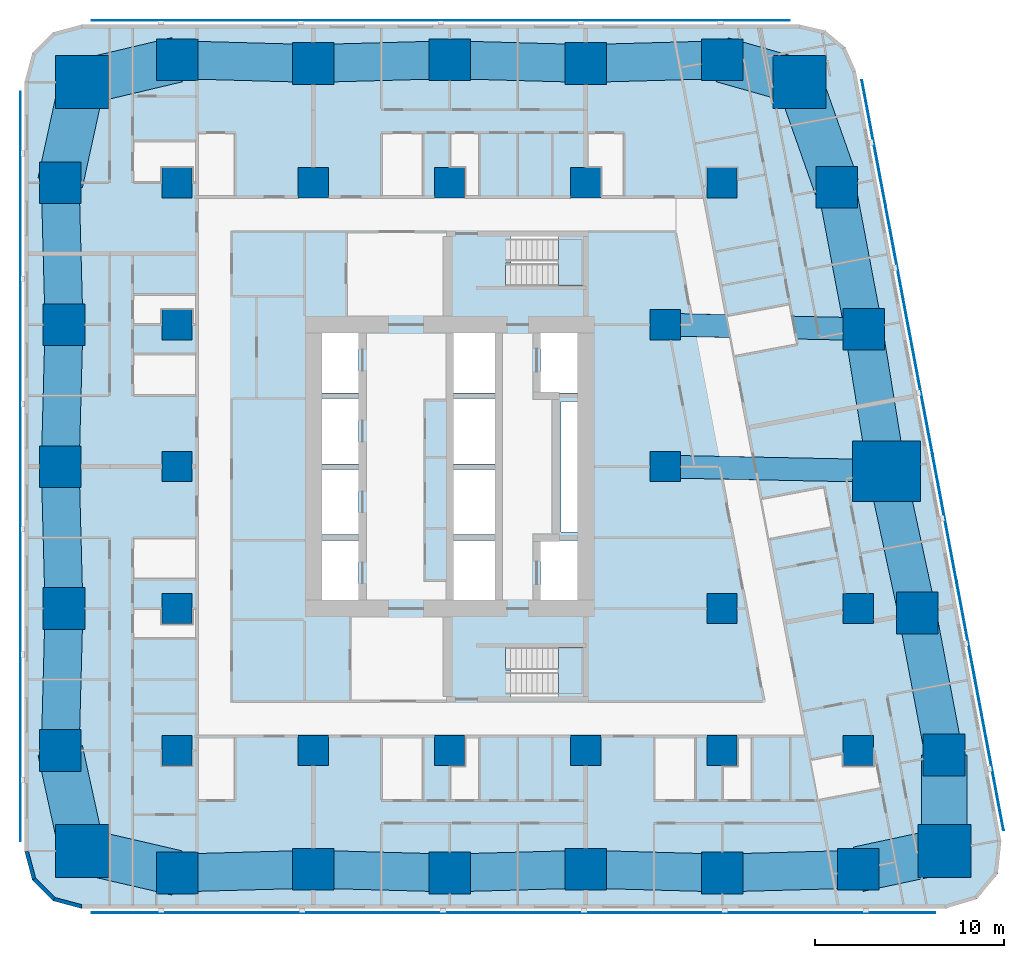
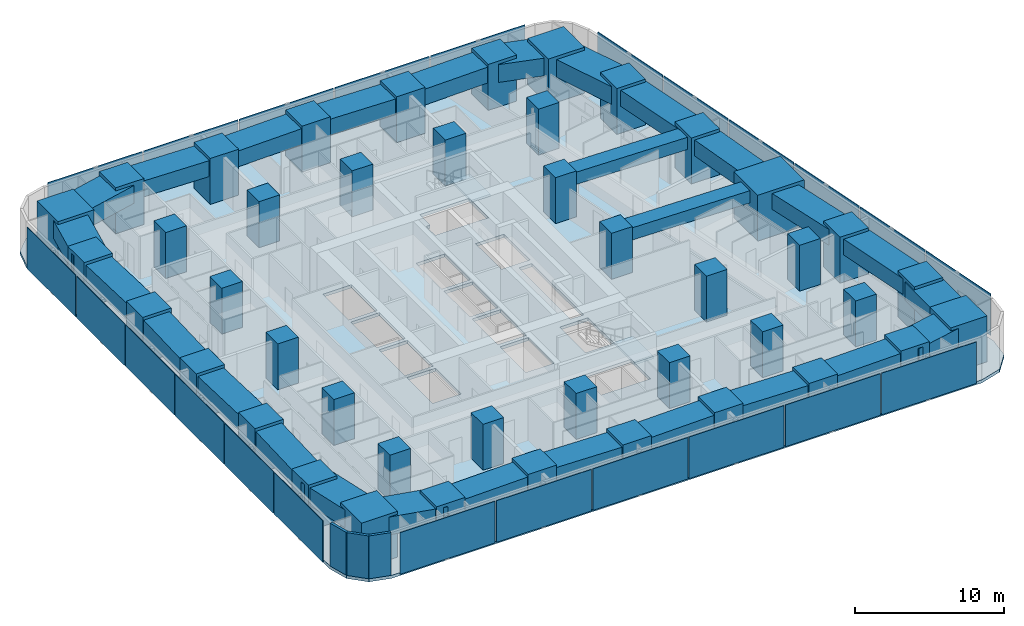
# One storey, part 1 of 15: 43 columns, 27 beams, 23 plates, 3 slabs, 3 walls, 2 elements without a shape of their own.
"""IFC4 building model written with IfcOpenShell, lengths in metres."""

from ifc_helpers import new_model, si_unit, direction, frame, frame_2d, origin, origin_2d, place, context, subcontext, project, spatial, polyline, rectangle, outline, extrude, material, layer, layer_set, material_profile, profile_set, type_object, element, aggregate, save


model = new_model("IFC4")

# Units and contexts
model_context = context("Model", 3, precision=1e-05, world=origin(), true_north=direction((0.0, 1.0)))
body_context = subcontext(model_context, "Body", "Model", "MODEL_VIEW")
ifc_project = project(units=[si_unit("LENGTHUNIT", "METRE"), si_unit("AREAUNIT", "SQUARE_METRE"), si_unit("VOLUMEUNIT", "CUBIC_METRE"), si_unit("PLANEANGLEUNIT", "RADIAN"), si_unit("MASSUNIT", "GRAM", prefix="KILO")], contexts=[model_context])

# Site, building, storey
site_placement = place(None, origin())
site = spatial("IfcSite", under=ifc_project, at=site_placement, CompositionType="ELEMENT")
building_placement = place(site_placement, origin())
building = spatial("IfcBuilding", under=site, at=building_placement, Name="Sheger Commons Tower", CompositionType="ELEMENT")
storey_placement = place(building_placement, frame((0.0, 0.0, 85.39990234375)))
storey = spatial("IfcBuildingStorey", under=building, at=storey_placement, Name="L21", CompositionType="ELEMENT", Elevation=85.39990234375)

# Columns
ifc_material_1 = material(Name="Concrete C50/60", Category="concrete")
ifc_material_profile_1 = material_profile(ifc_material_1, rectangle(XDim=3.60009765625, YDim=3.199951171875, at=origin_2d()), Name="RC 3600x3200")
ifc_profile_set_1 = profile_set([ifc_material_profile_1], Name="Concrete C50/60")
column_type_1 = type_object("IfcColumnType", Name="COLUMN PIER RC 3600x3200", PredefinedType="COLUMN", material=ifc_profile_set_1)
column_placement = place(storey_placement, frame((44.697021484375, 22.262939453125, 0.0), z_axis=(0.0, 0.0, 1.0), x_axis=(1.0, 0.0, 0.0)))
element("IfcColumn", 1, at=column_placement, inside=storey, type_object=column_type_1, Name="Pier 7/D+E/D L21", PredefinedType="COLUMN", context=body_context, shape_type="SweptSolid", body=[
    extrude(rectangle(XDim=3.60009765625, YDim=3.199951171875, at=origin_2d()), origin(), (0.0, 0.0, 1.0), 3.75),
])
ifc_material_2 = material(Name="Concrete C50/60", Category="concrete")
ifc_material_profile_2 = material_profile(ifc_material_2, rectangle(XDim=1.60009765625, YDim=1.60009765625, at=origin_2d()), Name="RC 1600x1600")
ifc_profile_set_2 = profile_set([ifc_material_profile_2], Name="Concrete C50/60")
column_type_2 = type_object("IfcColumnType", Name="COLUMN RC 1600x1600", PredefinedType="COLUMN", material=ifc_profile_set_2)
for number, where, z_axis, x_axis, name in (
    (2, (7.199951171875, 7.5, 0.0), (0.0, 0.0, 1.0), (1.0, 0.0, 0.0), "Column 2/B L21"),
    (3, (14.39990234375, 7.5, 0.0), (0.0, 0.0, 1.0), (1.0, 0.0, 0.0), "Column 3/B L21"),
    (4, (21.60009765625, 7.5, 0.0), (0.0, 0.0, 1.0), (1.0, 0.0, 0.0), "Column 4/B L21"),
    (5, (28.800048828125, 7.5, 0.0), (0.0, 0.0, 1.0), (1.0, 0.0, 0.0), "Column 5/B L21"),
    (6, (36.0, 7.5, 0.0), (0.0, 0.0, 1.0), (1.0, 0.0, 0.0), "Column 6/B L21"),
    (7, (43.199951171875, 7.5, 0.0), (0.0, 0.0, 1.0), (1.0, 0.0, 0.0), "Column 7/B L21"),
    (8, (7.199951171875, 15.0, 0.0), (0.0, 0.0, 1.0), (1.0, 0.0, 0.0), "Column 2/C L21"),
    (9, (36.0, 15.0, 0.0), (0.0, 0.0, 1.0), (1.0, 0.0, 0.0), "Column 6/C L21"),
    (10, (43.199951171875, 15.0, 0.0), (0.0, 0.0, 1.0), (1.0, 0.0, 0.0), "Column 7/C L21"),
    (11, (7.199951171875, 22.5, 0.0), (0.0, 0.0, 1.0), (1.0, 0.0, 0.0), "Column 2/D L21"),
    (12, (33.0, 22.5, 0.0), (0.0, 0.0, 1.0), (1.0, 0.0, 0.0), "Column 6-3000/D L21"),
    (13, (7.199951171875, 30.0, 0.0), (0.0, 0.0, 1.0), (1.0, 0.0, 0.0), "Column 2/E L21"),
    (14, (33.0, 30.0, 0.0), (0.0, 0.0, 1.0), (1.0, 0.0, 0.0), "Column 6-3000/E L21"),
    (15, (7.199951171875, 37.5, 0.0), (0.0, 0.0, 1.0), (1.0, 0.0, 0.0), "Column 2/F L21"),
    (16, (14.39990234375, 37.5, 0.0), (0.0, 0.0, 1.0), (1.0, 0.0, 0.0), "Column 3/F L21"),
    (17, (21.60009765625, 37.5, 0.0), (0.0, 0.0, 1.0), (1.0, 0.0, 0.0), "Column 4/F L21"),
    (18, (28.800048828125, 37.5, 0.0), (0.0, 0.0, 1.0), (1.0, 0.0, 0.0), "Column 5/F L21"),
    (19, (36.0, 37.5, 0.0), (0.0, 0.0, 1.0), (1.0, 0.0, 0.0), "Column 6/F L21"),
):
    element("IfcColumn", number, at=place(storey_placement, frame(where, z_axis=z_axis, x_axis=x_axis)), inside=storey, type_object=column_type_2, Name=name, PredefinedType="COLUMN", context=body_context, shape_type="SweptSolid", body=[
        extrude(rectangle(XDim=1.60009765625, YDim=1.60009765625, at=origin_2d()), origin(), (0.0, 0.0, 1.0), 3.75),
    ])
ifc_material_3 = material(Name="Concrete C50/60", Category="concrete")
ifc_material_profile_3 = material_profile(ifc_material_3, rectangle(XDim=2.199951171875, YDim=2.199951171875, at=origin_2d()), Name="RC 2200x2200")
ifc_profile_set_3 = profile_set([ifc_material_profile_3], Name="Concrete C50/60")
column_type_3 = type_object("IfcColumnType", Name="COLUMN RC 2200x2200", PredefinedType="COLUMN", material=ifc_profile_set_3)
for number, where, z_axis, x_axis, name in (
    (20, (7.199951171875, 1.02490234375, 0.0), (0.0, 0.0, 1.0), (1.0, 0.0, 0.0), "Column 2/A L21"),
    (21, (14.39990234375, 1.22509765625, 0.0), (0.0, 0.0, 1.0), (1.0, 0.0, 0.0), "Column 3/A L21"),
    (22, (21.60009765625, 1.02490234375, 0.0), (0.0, 0.0, 1.0), (1.0, 0.0, 0.0), "Column 4/A L21"),
    (23, (28.800048828125, 1.22509765625, 0.0), (0.0, 0.0, 1.0), (1.0, 0.0, 0.0), "Column 5/A L21"),
    (24, (36.0, 1.02490234375, 0.0), (0.0, 0.0, 1.0), (1.0, 0.0, 0.0), "Column 6/A L21"),
    (25, (43.199951171875, 1.22509765625, 0.0), (0.0, 0.0, 1.0), (1.0, 0.0, 0.0), "Column 7/A L21"),
    (26, (1.02490234375, 7.5, 0.0), (0.0, 0.0, 1.0), (1.0, 0.0, 0.0), "Column 1/B L21"),
    (27, (47.72998046875, 7.262939453125, 0.0), (0.0, 0.0, 1.0), (1.0, 0.0, 0.0), "Column E/B L21"),
    (28, (1.22509765625, 15.0, 0.0), (0.0, 0.0, 1.0), (1.0, 0.0, 0.0), "Column 1/C L21"),
    (29, (46.31396484375, 14.762939453125, 0.0), (0.0, 0.0, 1.0), (1.0, 0.0, 0.0), "Column E/C L21"),
    (30, (1.02490234375, 22.5, 0.0), (0.0, 0.0, 1.0), (1.0, 0.0, 0.0), "Column 1/D L21"),
    (31, (1.22509765625, 30.0, 0.0), (0.0, 0.0, 1.0), (1.0, 0.0, 0.0), "Column 1/E L21"),
    (32, (43.47998046875, 29.762939453125, 0.0), (0.0, 0.0, 1.0), (1.0, 0.0, 0.0), "Column E/E L21"),
    (33, (1.02490234375, 37.5, 0.0), (0.0, 0.0, 1.0), (1.0, 0.0, 0.0), "Column 1/F L21"),
    (34, (42.06396484375, 37.262939453125, 0.0), (0.0, 0.0, 1.0), (1.0, 0.0, 0.0), "Column E/F L21"),
    (35, (7.199951171875, 44.0, 0.0), (0.0, 0.0, 1.0), (1.0, 0.0, 0.0), "Column 2/G L21"),
    (36, (14.39990234375, 43.800048828125, 0.0), (0.0, 0.0, 1.0), (1.0, 0.0, 0.0), "Column 3/G L21"),
    (37, (21.60009765625, 44.0, 0.0), (0.0, 0.0, 1.0), (1.0, 0.0, 0.0), "Column 4/G L21"),
    (38, (28.800048828125, 43.800048828125, 0.0), (0.0, 0.0, 1.0), (1.0, 0.0, 0.0), "Column 5/G L21"),
    (39, (36.0, 44.0, 0.0), (0.0, 0.0, 1.0), (1.0, 0.0, 0.0), "Column 6/G L21"),
):
    element("IfcColumn", number, at=place(storey_placement, frame(where, z_axis=z_axis, x_axis=x_axis)), inside=storey, type_object=column_type_3, Name=name, PredefinedType="COLUMN", context=body_context, shape_type="SweptSolid", body=[
        extrude(rectangle(XDim=2.199951171875, YDim=2.199951171875, at=origin_2d()), origin(), (0.0, 0.0, 1.0), 3.75),
    ])
ifc_material_4 = material(Name="Concrete C50/60", Category="concrete")
ifc_material_profile_4 = material_profile(ifc_material_4, rectangle(XDim=2.800048828125, YDim=2.800048828125, at=origin_2d()), Name="RC 2800x2800")
ifc_profile_set_4 = profile_set([ifc_material_profile_4], Name="Concrete C50/60")
column_type_4 = type_object("IfcColumnType", Name="COLUMN RC 2800x2800", PredefinedType="COLUMN", material=ifc_profile_set_4)
for number, where, z_axis, x_axis, name in (
    (40, (2.18603515625, 2.18603515625, 0.0), (0.0, 0.0, 1.0), (1.0, 0.0, 0.0), "Column 0.630,0.630 L21"),
    (41, (47.748046875, 2.197021484375, 0.0), (0.0, 0.0, 1.0), (1.0, 0.0, 0.0), "Column 49.461,0.778 L21"),
    (42, (2.18603515625, 42.81396484375, 0.0), (0.0, 0.0, 1.0), (1.0, 0.0, 0.0), "Column 0.630,44.370 L21"),
    (43, (40.10205078125, 42.830078125, 0.0), (0.0, 0.0, 1.0), (1.0, 0.0, 0.0), "Column 41.490,44.505 L21"),
):
    element("IfcColumn", number, at=place(storey_placement, frame(where, z_axis=z_axis, x_axis=x_axis)), inside=storey, type_object=column_type_4, Name=name, PredefinedType="COLUMN", context=body_context, shape_type="SweptSolid", body=[
        extrude(rectangle(XDim=2.800048828125, YDim=2.800048828125, at=origin_2d()), origin(), (0.0, 0.0, 1.0), 3.75),
    ])

# Beams
ifc_material_5 = material(Name="Concrete C50/60", Category="concrete")
ifc_material_profile_5 = material_profile(ifc_material_5, rectangle(XDim=1.199951171875, YDim=1.0, at=origin_2d()), Name="RC 1200x1000")
ifc_profile_set_5 = profile_set([ifc_material_profile_5], Name="Concrete C50/60")
beam_type_1 = type_object("IfcBeamType", Name="BEAM RC 1200x1000", PredefinedType="BEAM", material=ifc_profile_set_5)
beam_1_placement = place(storey_placement, frame((33.0, 22.5, 3.0), z_axis=(0.999794692776, -0.02026258368, 0.0), x_axis=(0.02026258368, 0.999794692776, 0.0)))
element("IfcBeam", 44, at=beam_1_placement, inside=storey, type_object=beam_type_1, Name="Beam 6-3000/D-7/D under L22", PredefinedType="BEAM", context=body_context, shape_type="SweptSolid", body=[
    extrude(rectangle(XDim=1.199951171875, YDim=1.0, at=origin_2d()), origin(), (0.0, 0.0, 1.0), 11.699462890625),
])
beam_2_placement = place(storey_placement, frame((33.0, 30.0, 3.0), z_axis=(0.999744258625, -0.022614538395, 0.0), x_axis=(0.022614538395, 0.999744258625, 0.0)))
element("IfcBeam", 45, at=beam_2_placement, inside=storey, type_object=beam_type_1, Name="Beam 6-3000/E-E/E under L22", PredefinedType="BEAM", context=body_context, shape_type="SweptSolid", body=[
    extrude(rectangle(XDim=1.199951171875, YDim=1.0, at=origin_2d()), origin(), (0.0, 0.0, 1.0), 10.482666015625),
])
ifc_material_6 = material(Name="Concrete C50/60", Category="concrete")
ifc_material_profile_6 = material_profile(ifc_material_6, rectangle(XDim=2.0, YDim=1.300048828125, at=origin_2d()), Name="RC 2000x1300")
ifc_profile_set_6 = profile_set([ifc_material_profile_6], Name="Concrete C50/60")
beam_type_2 = type_object("IfcBeamType", Name="SPANDREL RC 2000x1300", PredefinedType="SPANDREL", material=ifc_profile_set_6)
beam_3_placement = place(storey_placement, frame((7.199951171875, 1.02490234375, 2.85009765625), z_axis=(0.9996136624, 0.027794350926, 0.0), x_axis=(-0.027794350926, 0.9996136624, 0.0)))
element("IfcBeam", 46, at=beam_3_placement, inside=storey, type_object=beam_type_2, Name="Beam 2/A-3/A under L22", PredefinedType="SPANDREL", context=body_context, shape_type="SweptSolid", body=[
    extrude(rectangle(XDim=2.0, YDim=1.300048828125, at=origin_2d()), origin(), (0.0, 0.0, 1.0), 7.20263671875),
])
beam_4_placement = place(storey_placement, frame((14.39990234375, 1.22509765625, 2.85009765625), z_axis=(0.999613688584, -0.027793409217, 0.0), x_axis=(0.027793409217, 0.999613688584, 0.0)))
element("IfcBeam", 47, at=beam_4_placement, inside=storey, type_object=beam_type_2, Name="Beam 3/A-4/A under L22", PredefinedType="SPANDREL", context=body_context, shape_type="SweptSolid", body=[
    extrude(rectangle(XDim=2.0, YDim=1.300048828125, at=origin_2d()), origin(), (0.0, 0.0, 1.0), 7.202880859375),
])
for number, where, z_axis, x_axis, name in (
    (48, (21.60009765625, 1.02490234375, 2.85009765625), (0.9996136624, 0.027794350926, 0.0), (-0.027794350926, 0.9996136624, 0.0), "Beam 4/A-5/A under L22"),
    (49, (28.800048828125, 1.22509765625, 2.85009765625), (0.9996136624, -0.027794350926, 0.0), (0.027794350926, 0.9996136624, 0.0), "Beam 5/A-6/A under L22"),
    (50, (36.0, 1.02490234375, 2.85009765625), (0.9996136624, 0.027794350926, 0.0), (-0.027794350926, 0.9996136624, 0.0), "Beam 6/A-7/A under L22"),
):
    element("IfcBeam", number, at=place(storey_placement, frame(where, z_axis=z_axis, x_axis=x_axis)), inside=storey, type_object=beam_type_2, Name=name, PredefinedType="SPANDREL", context=body_context, shape_type="SweptSolid", body=[
        extrude(rectangle(XDim=2.0, YDim=1.300048828125, at=origin_2d()), origin(), (0.0, 0.0, 1.0), 7.20263671875),
    ])
beam_5_placement = place(storey_placement, frame((47.72998046875, 7.262939453125, 2.85009765625), z_axis=(-0.18552441405, 0.982639655108, 0.0), x_axis=(-0.982639655108, -0.18552441405, 0.0)))
element("IfcBeam", 51, at=beam_5_placement, inside=storey, type_object=beam_type_2, Name="Beam E/B-E/C under L22", PredefinedType="SPANDREL", context=body_context, shape_type="SweptSolid", body=[
    extrude(rectangle(XDim=2.0, YDim=1.300048828125, at=origin_2d()), origin(), (0.0, 0.0, 1.0), 7.632568359375),
])
beam_6_placement = place(storey_placement, frame((46.31396484375, 14.762939453125, 2.85009765625), z_axis=(-0.210750229323, 0.977539943348, 0.0), x_axis=(-0.977539943348, -0.210750229323, 0.0)))
element("IfcBeam", 52, at=beam_6_placement, inside=storey, type_object=beam_type_2, Name="Beam E/C-E/D under L22", PredefinedType="SPANDREL", context=body_context, shape_type="SweptSolid", body=[
    extrude(rectangle(XDim=2.0, YDim=1.300048828125, at=origin_2d()), origin(), (0.0, 0.0, 1.0), 7.67236328125),
])
beam_7_placement = place(storey_placement, frame((44.697021484375, 22.262939453125, 2.85009765625), z_axis=(-0.160176929512, 0.987088319884, 0.0), x_axis=(-0.987088319884, -0.160176929512, 0.0)))
element("IfcBeam", 53, at=beam_7_placement, inside=storey, type_object=beam_type_2, Name="Beam E/D-E/E under L22", PredefinedType="SPANDREL", context=body_context, shape_type="SweptSolid", body=[
    extrude(rectangle(XDim=2.0, YDim=1.300048828125, at=origin_2d()), origin(), (0.0, 0.0, 1.0), 7.59814453125),
])
beam_8_placement = place(storey_placement, frame((43.47998046875, 29.762939453125, 2.85009765625), z_axis=(-0.18552441405, 0.982639655108, 0.0), x_axis=(-0.982639655108, -0.18552441405, 0.0)))
element("IfcBeam", 54, at=beam_8_placement, inside=storey, type_object=beam_type_2, Name="Beam E/E-E/F under L22", PredefinedType="SPANDREL", context=body_context, shape_type="SweptSolid", body=[
    extrude(rectangle(XDim=2.0, YDim=1.300048828125, at=origin_2d()), origin(), (0.0, 0.0, 1.0), 7.632568359375),
])
for number, where, z_axis, x_axis, name in (
    (55, (36.0, 44.0, 2.85009765625), (-0.999614603568, -0.027760481514, 0.0), (0.027760481514, -0.999614603568, 0.0), "Beam 6/G-5/G under L22"),
    (56, (28.800048828125, 43.800048828125, 2.85009765625), (-0.999614603568, 0.027760481514, 0.0), (-0.027760481514, -0.999614603568, 0.0), "Beam 5/G-4/G under L22"),
):
    element("IfcBeam", number, at=place(storey_placement, frame(where, z_axis=z_axis, x_axis=x_axis)), inside=storey, type_object=beam_type_2, Name=name, PredefinedType="SPANDREL", context=body_context, shape_type="SweptSolid", body=[
        extrude(rectangle(XDim=2.0, YDim=1.300048828125, at=origin_2d()), origin(), (0.0, 0.0, 1.0), 7.20263671875),
    ])
beam_9_placement = place(storey_placement, frame((21.60009765625, 44.0, 2.85009765625), z_axis=(-0.999614629688, -0.027759540951, 0.0), x_axis=(0.027759540951, -0.999614629688, 0.0)))
element("IfcBeam", 57, at=beam_9_placement, inside=storey, type_object=beam_type_2, Name="Beam 4/G-3/G under L22", PredefinedType="SPANDREL", context=body_context, shape_type="SweptSolid", body=[
    extrude(rectangle(XDim=2.0, YDim=1.300048828125, at=origin_2d()), origin(), (0.0, 0.0, 1.0), 7.202880859375),
])
beam_10_placement = place(storey_placement, frame((14.39990234375, 43.800048828125, 2.85009765625), z_axis=(-0.999614603568, 0.027760481514, 0.0), x_axis=(-0.027760481514, -0.999614603568, 0.0)))
element("IfcBeam", 58, at=beam_10_placement, inside=storey, type_object=beam_type_2, Name="Beam 3/G-2/G under L22", PredefinedType="SPANDREL", context=body_context, shape_type="SweptSolid", body=[
    extrude(rectangle(XDim=2.0, YDim=1.300048828125, at=origin_2d()), origin(), (0.0, 0.0, 1.0), 7.20263671875),
])
for number, where, z_axis, x_axis, name in (
    (59, (1.02490234375, 37.5, 2.85009765625), (0.026683204125, -0.999643939919, 0.0), (0.999643939919, 0.026683204125, 0.0), "Beam 1/F-1/E under L22"),
    (60, (1.22509765625, 30.0, 2.85009765625), (-0.026683204125, -0.999643939919, 0.0), (0.999643939919, -0.026683204125, 0.0), "Beam 1/E-1/D under L22"),
    (61, (1.02490234375, 22.5, 2.85009765625), (0.026683204125, -0.999643939919, 0.0), (0.999643939919, 0.026683204125, 0.0), "Beam 1/D-1/C under L22"),
    (62, (1.22509765625, 15.0, 2.85009765625), (-0.026683204125, -0.999643939919, 0.0), (0.999643939919, -0.026683204125, 0.0), "Beam 1/C-1/B under L22"),
):
    element("IfcBeam", number, at=place(storey_placement, frame(where, z_axis=z_axis, x_axis=x_axis)), inside=storey, type_object=beam_type_2, Name=name, PredefinedType="SPANDREL", context=body_context, shape_type="SweptSolid", body=[
        extrude(rectangle(XDim=2.0, YDim=1.300048828125, at=origin_2d()), origin(), (0.0, 0.0, 1.0), 7.502685546875),
    ])
ifc_material_7 = material(Name="Concrete C50/60", Category="concrete")
ifc_material_profile_7 = material_profile(ifc_material_7, rectangle(XDim=2.39990234375, YDim=1.449951171875, at=origin_2d()), Name="RC 2400x1450")
ifc_profile_set_7 = profile_set([ifc_material_profile_7], Name="Concrete C50/60")
beam_type_3 = type_object("IfcBeamType", Name="SPANDREL RC 2400x1450", PredefinedType="SPANDREL", material=ifc_profile_set_7)
beam_11_placement = place(storey_placement, frame((2.18603515625, 2.18603515625, 2.775146484375), z_axis=(0.974217413499, -0.225611239159, 0.0), x_axis=(0.225611239159, 0.974217413499, 0.0)))
element("IfcBeam", 63, at=beam_11_placement, inside=storey, type_object=beam_type_3, Name="Beam 0.630,0.630-2/A under L22", PredefinedType="SPANDREL", context=body_context, shape_type="SweptSolid", body=[
    extrude(rectangle(XDim=2.39990234375, YDim=1.449951171875, at=origin_2d()), origin(), (0.0, 0.0, 1.0), 5.146728515625),
])
beam_12_placement = place(storey_placement, frame((43.199951171875, 1.22509765625, 2.775146484375), z_axis=(0.977919796671, 0.208980552394, 0.0), x_axis=(-0.208980552394, 0.977919796671, 0.0)))
element("IfcBeam", 64, at=beam_12_placement, inside=storey, type_object=beam_type_3, Name="Beam 7/A-49.461,0.778 under L22", PredefinedType="SPANDREL", context=body_context, shape_type="SweptSolid", body=[
    extrude(rectangle(XDim=2.39990234375, YDim=1.449951171875, at=origin_2d()), origin(), (0.0, 0.0, 1.0), 4.65087890625),
])
beam_13_placement = place(storey_placement, frame((47.748046875, 2.197021484375, 2.775146484375), z_axis=(-0.003566242382, 0.999993640937, 0.0), x_axis=(-0.999993640937, -0.003566242382, 0.0)))
element("IfcBeam", 65, at=beam_13_placement, inside=storey, type_object=beam_type_3, Name="Beam 49.461,0.778-E/B under L22", PredefinedType="SPANDREL", context=body_context, shape_type="SweptSolid", body=[
    extrude(rectangle(XDim=2.39990234375, YDim=1.449951171875, at=origin_2d()), origin(), (0.0, 0.0, 1.0), 5.06591796875),
])
beam_14_placement = place(storey_placement, frame((42.06396484375, 37.262939453125, 2.775146484375), z_axis=(-0.332374403357, 0.943147526102, 0.0), x_axis=(-0.943147526102, -0.332374403357, 0.0)))
element("IfcBeam", 66, at=beam_14_placement, inside=storey, type_object=beam_type_3, Name="Beam E/F-41.490,44.505 under L22", PredefinedType="SPANDREL", context=body_context, shape_type="SweptSolid", body=[
    extrude(rectangle(XDim=2.39990234375, YDim=1.449951171875, at=origin_2d()), origin(), (0.0, 0.0, 1.0), 5.90283203125),
])
beam_15_placement = place(storey_placement, frame((40.10205078125, 42.830078125, 2.775146484375), z_axis=(-0.961653428129, 0.274267541221, 0.0), x_axis=(-0.274267541221, -0.961653428129, 0.0)))
element("IfcBeam", 67, at=beam_15_placement, inside=storey, type_object=beam_type_3, Name="Beam 41.490,44.505-6/G under L22", PredefinedType="SPANDREL", context=body_context, shape_type="SweptSolid", body=[
    extrude(rectangle(XDim=2.39990234375, YDim=1.449951171875, at=origin_2d()), origin(), (0.0, 0.0, 1.0), 4.265625),
])
beam_16_placement = place(storey_placement, frame((7.199951171875, 44.0, 2.775146484375), z_axis=(-0.97314428949, -0.230195985701, 0.0), x_axis=(0.230195985701, -0.97314428949, 0.0)))
element("IfcBeam", 68, at=beam_16_placement, inside=storey, type_object=beam_type_3, Name="Beam 2/G-0.630,44.370 under L22", PredefinedType="SPANDREL", context=body_context, shape_type="SweptSolid", body=[
    extrude(rectangle(XDim=2.39990234375, YDim=1.449951171875, at=origin_2d()), origin(), (0.0, 0.0, 1.0), 5.15234375),
])
for number, where, z_axis, x_axis, name in (
    (69, (2.18603515625, 42.81396484375, 2.775146484375), (-0.213469314652, -0.976949769283, 0.0), (0.976949769283, -0.213469314652, 0.0), "Beam 0.630,44.370-1/F under L22"),
    (70, (1.02490234375, 7.5, 2.775146484375), (0.213469314652, -0.976949769283, 0.0), (0.976949769283, 0.213469314652, 0.0), "Beam 1/B-0.630,0.630 under L22"),
):
    element("IfcBeam", number, at=place(storey_placement, frame(where, z_axis=z_axis, x_axis=x_axis)), inside=storey, type_object=beam_type_3, Name=name, PredefinedType="SPANDREL", context=body_context, shape_type="SweptSolid", body=[
        extrude(rectangle(XDim=2.39990234375, YDim=1.449951171875, at=origin_2d()), origin(), (0.0, 0.0, 1.0), 5.439453125),
    ])

# Slab
ifc_material_8 = material(Name="Concrete C35/45", Category="concrete")
ifc_layer_1 = layer(ifc_material_8, 0.25)
ifc_layer_set_1 = layer_set([ifc_layer_1], Name="SLAB FLOOR 250")
slab_type_1 = type_object("IfcSlabType", Name="SLAB FLOOR 250", PredefinedType="FLOOR", material=ifc_layer_set_1)
slab_1_placement = place(storey_placement, frame((0.0, 0.0, -0.25)))
element("IfcSlab", 71, at=slab_1_placement, inside=storey, type_object=slab_type_1, Name="L21 floor slab", PredefinedType="FLOOR", context=body_context, shape_type="SweptSolid", body=[
    extrude(outline(polyline([(-0.85009765625, 2.14990234375), (-0.447998046875, 0.64990234375), (0.64990234375, -0.447998046875), (2.14990234375, -0.85009765625), (47.805908203125, -0.85009765625), (49.465087890625, -0.35009765625), (50.570068359375, 0.98388671875), (50.75390625, 2.70703125), (43.06591796875, 43.406982421875), (42.509033203125, 44.660888671875), (41.452880859375, 45.535888671875), (40.117919921875, 45.85009765625), (2.14990234375, 45.85009765625), (0.64990234375, 45.447998046875), (-0.447998046875, 44.35009765625), (-0.85009765625, 42.85009765625), (-0.85009765625, 2.14990234375)]), holes=[polyline([(24.85009765625, 10.35009765625), (28.64990234375, 10.35009765625), (28.64990234375, 12.949951171875), (24.551025390625, 12.949951171875), (24.551025390625, 11.75), (24.85009765625, 11.75), (24.85009765625, 10.35009765625)]), polyline([(24.551025390625, 32.050048828125), (28.64990234375, 32.050048828125), (28.64990234375, 34.64990234375), (24.85009765625, 34.64990234375), (24.85009765625, 33.25), (24.551025390625, 33.25), (24.551025390625, 32.050048828125)]), polyline([(26.39990234375, 15.14990234375), (28.60009765625, 15.14990234375), (28.60009765625, 18.60009765625), (26.39990234375, 18.60009765625), (26.39990234375, 15.14990234375)]), polyline([(26.39990234375, 26.39990234375), (28.60009765625, 26.39990234375), (28.60009765625, 29.85009765625), (26.39990234375, 29.85009765625), (26.39990234375, 26.39990234375)]), polyline([(14.60009765625, 15.14990234375), (16.800048828125, 15.14990234375), (16.800048828125, 18.60009765625), (14.60009765625, 18.60009765625), (14.60009765625, 15.14990234375)]), polyline([(14.60009765625, 18.89990234375), (16.800048828125, 18.89990234375), (16.800048828125, 22.35009765625), (14.60009765625, 22.35009765625), (14.60009765625, 18.89990234375)]), polyline([(14.60009765625, 22.64990234375), (16.800048828125, 22.64990234375), (16.800048828125, 26.10009765625), (14.60009765625, 26.10009765625), (14.60009765625, 22.64990234375)]), polyline([(14.60009765625, 26.39990234375), (16.800048828125, 26.39990234375), (16.800048828125, 29.85009765625), (14.60009765625, 29.85009765625), (14.60009765625, 26.39990234375)]), polyline([(21.800048828125, 15.14990234375), (24.0, 15.14990234375), (24.0, 18.60009765625), (21.800048828125, 18.60009765625), (21.800048828125, 15.14990234375)]), polyline([(21.800048828125, 18.89990234375), (24.0, 18.89990234375), (24.0, 22.35009765625), (21.800048828125, 22.35009765625), (21.800048828125, 18.89990234375)]), polyline([(21.800048828125, 22.64990234375), (24.0, 22.64990234375), (24.0, 26.10009765625), (21.800048828125, 26.10009765625), (21.800048828125, 22.64990234375)]), polyline([(21.800048828125, 26.39990234375), (24.0, 26.39990234375), (24.0, 29.85009765625), (21.800048828125, 29.85009765625), (21.800048828125, 26.39990234375)]), polyline([(27.5, 19.050048828125), (28.5, 19.050048828125), (28.5, 25.949951171875), (27.5, 25.949951171875), (27.5, 19.050048828125)])]), origin(), (0.0, 0.0, 1.0), 0.25),
])

# Plates
ifc_material_9 = material(Name="Perforated black anodised aluminium screen", Category="aluminium")
ifc_layer_2 = layer(ifc_material_9, 0.050048828125)
ifc_layer_set_2 = layer_set([ifc_layer_2], Name="SOLAR SCREEN SCREEN-1")
plate_type = type_object("IfcPlateType", Name="SOLAR SCREEN SCREEN-1", PredefinedType="USERDEFINED", material=ifc_layer_set_2)
for number, where, z_axis, x_axis, name in (
    (72, (6.37109375, -1.074951171875, 0.050048828125), (0.0, 0.0, 1.0), (1.0, 0.0, 0.0), "Perforated solar screen panel"),
    (73, (13.81396484375, -1.074951171875, 0.050048828125), (0.0, 0.0, 1.0), (1.0, 0.0, 0.0), "Perforated solar screen panel"),
    (74, (21.257080078125, -1.074951171875, 0.050048828125), (0.0, 0.0, 1.0), (1.0, 0.0, 0.0), "Perforated solar screen panel"),
    (75, (28.698974609375, -1.074951171875, 0.050048828125), (0.0, 0.0, 1.0), (1.0, 0.0, 0.0), "Perforated solar screen panel"),
    (76, (36.14208984375, -1.074951171875, 0.050048828125), (0.0, 0.0, 1.0), (1.0, 0.0, 0.0), "Perforated solar screen panel"),
    (77, (43.5849609375, -1.074951171875, 0.050048828125), (0.0, 0.0, 1.0), (1.0, 0.0, 0.0), "Perforated solar screen panel"),
):
    element("IfcPlate", number, at=place(storey_placement, frame(where, z_axis=z_axis, x_axis=x_axis)), inside=storey, type_object=plate_type, Name=name, ObjectType="SCREEN", PredefinedType="USERDEFINED", context=body_context, shape_type="SweptSolid", body=[
        extrude(rectangle(XDim=7.343017578125, YDim=0.050048828125, at=origin_2d()), origin(), (0.0, 0.0, 1.0), 3.39990234375),
    ])
for number, where, z_axis, x_axis, name in (
    (78, (50.257080078125, 6.550048828125, 0.050048828125), (0.0, 0.0, 1.0), (-0.185615165645, 0.982622516678, 0.0), "Perforated solar screen panel"),
    (79, (49.007080078125, 13.1689453125, 0.050048828125), (0.0, 0.0, 1.0), (-0.185615165645, 0.982622516678, 0.0), "Perforated solar screen panel"),
    (80, (47.756103515625, 19.7890625, 0.050048828125), (0.0, 0.0, 1.0), (-0.185615165645, 0.982622516678, 0.0), "Perforated solar screen panel"),
    (81, (46.506103515625, 26.408935546875, 0.050048828125), (0.0, 0.0, 1.0), (-0.185615165645, 0.982622516678, 0.0), "Perforated solar screen panel"),
    (82, (45.2548828125, 33.028076171875, 0.050048828125), (0.0, 0.0, 1.0), (-0.185615165645, 0.982622516678, 0.0), "Perforated solar screen panel"),
    (83, (44.0048828125, 39.64794921875, 0.050048828125), (0.0, 0.0, 1.0), (-0.185615165645, 0.982622516678, 0.0), "Perforated solar screen panel"),
):
    element("IfcPlate", number, at=place(storey_placement, frame(where, z_axis=z_axis, x_axis=x_axis)), inside=storey, type_object=plate_type, Name=name, ObjectType="SCREEN", PredefinedType="USERDEFINED", context=body_context, shape_type="SweptSolid", body=[
        extrude(rectangle(XDim=6.636962890625, YDim=0.050048828125, at=origin_2d()), origin(), (0.0, 0.0, 1.0), 3.39990234375),
    ])
for number, where, z_axis, x_axis, name in (
    (84, (35.9208984375, 46.074951171875, 0.050048828125), (0.0, 0.0, 1.0), (-1.0, 0.0, 0.0), "Perforated solar screen panel"),
    (85, (28.528076171875, 46.074951171875, 0.050048828125), (0.0, 0.0, 1.0), (-1.0, 0.0, 0.0), "Perforated solar screen panel"),
    (86, (21.134033203125, 46.074951171875, 0.050048828125), (0.0, 0.0, 1.0), (-1.0, 0.0, 0.0), "Perforated solar screen panel"),
    (87, (13.739990234375, 46.074951171875, 0.050048828125), (0.0, 0.0, 1.0), (-1.0, 0.0, 0.0), "Perforated solar screen panel"),
    (88, (6.346923828125, 46.074951171875, 0.050048828125), (0.0, 0.0, 1.0), (-1.0, 0.0, 0.0), "Perforated solar screen panel"),
):
    element("IfcPlate", number, at=place(storey_placement, frame(where, z_axis=z_axis, x_axis=x_axis)), inside=storey, type_object=plate_type, Name=name, ObjectType="SCREEN", PredefinedType="USERDEFINED", context=body_context, shape_type="SweptSolid", body=[
        extrude(rectangle(XDim=7.2939453125, YDim=0.050048828125, at=origin_2d()), origin(), (0.0, 0.0, 1.0), 3.39990234375),
    ])
for number, where, z_axis, x_axis, name in (
    (89, (-1.074951171875, 39.0419921875, 0.050048828125), (0.0, 0.0, 1.0), (0.0, -1.0, 0.0), "Perforated solar screen panel"),
    (90, (-1.074951171875, 32.425048828125, 0.050048828125), (0.0, 0.0, 1.0), (0.0, -1.0, 0.0), "Perforated solar screen panel"),
    (91, (-1.074951171875, 25.80810546875, 0.050048828125), (0.0, 0.0, 1.0), (0.0, -1.0, 0.0), "Perforated solar screen panel"),
    (92, (-1.074951171875, 19.19189453125, 0.050048828125), (0.0, 0.0, 1.0), (0.0, -1.0, 0.0), "Perforated solar screen panel"),
    (93, (-1.074951171875, 12.574951171875, 0.050048828125), (0.0, 0.0, 1.0), (0.0, -1.0, 0.0), "Perforated solar screen panel"),
    (94, (-1.074951171875, 5.9580078125, 0.050048828125), (0.0, 0.0, 1.0), (0.0, -1.0, 0.0), "Perforated solar screen panel"),
):
    element("IfcPlate", number, at=place(storey_placement, frame(where, z_axis=z_axis, x_axis=x_axis)), inside=storey, type_object=plate_type, Name=name, ObjectType="SCREEN", PredefinedType="USERDEFINED", context=body_context, shape_type="SweptSolid", body=[
        extrude(rectangle(XDim=6.51708984375, YDim=0.050048828125, at=origin_2d()), origin(), (0.0, 0.0, 1.0), 3.39990234375),
    ])

# Stair, slab
ifc_material_10 = material(Name="Concrete C35/45", Category="concrete")
stair_type = type_object("IfcStairType", Name="HALF-TURN STAIR 1200 RISE 3750", PredefinedType="HALF_TURN_STAIR", material=ifc_material_10)
stair_1_placement = place(storey_placement, origin())
stair_1 = element("IfcStair", 95, at=stair_1_placement, inside=storey, type_object=stair_type, Name="Stair S1 L21", PredefinedType="HALF_TURN_STAIR")
ifc_material_11 = material(Name="Concrete C35/45", Category="concrete")
ifc_layer_3 = layer(ifc_material_11, 0.199951171875)
ifc_layer_set_3 = layer_set([ifc_layer_3], Name="STAIR LANDING 200")
slab_type_2 = type_object("IfcSlabType", Name="STAIR LANDING 200", PredefinedType="LANDING", material=ifc_layer_set_3)
slab_2_placement = place(storey_placement, frame((0.0, 0.0, 1.675048828125)))
slab_2 = element("IfcSlab", 96, at=slab_2_placement, type_object=slab_type_2, Name="S1 landing 1", PredefinedType="LANDING", context=body_context, shape_type="SweptSolid", body=[
    extrude(outline(polyline([(27.35009765625, 10.199951171875), (28.800048828125, 10.199951171875), (28.800048828125, 12.949951171875), (27.35009765625, 12.949951171875), (27.35009765625, 10.199951171875)])), origin(), (0.0, 0.0, 1.0), 0.199951171875),
])
aggregate(stair_1, [slab_2])

stair_2_placement = place(storey_placement, origin())
stair_2 = element("IfcStair", 97, at=stair_2_placement, inside=storey, type_object=stair_type, Name="Stair S2 L21", PredefinedType="HALF_TURN_STAIR")
slab_3_placement = place(storey_placement, frame((0.0, 0.0, 1.675048828125)))
slab_3 = element("IfcSlab", 98, at=slab_3_placement, type_object=slab_type_2, Name="S2 landing 1", PredefinedType="LANDING", context=body_context, shape_type="SweptSolid", body=[
    extrude(outline(polyline([(27.35009765625, 32.050048828125), (28.800048828125, 32.050048828125), (28.800048828125, 34.800048828125), (27.35009765625, 34.800048828125), (27.35009765625, 32.050048828125)])), origin(), (0.0, 0.0, 1.0), 0.199951171875),
])
aggregate(stair_2, [slab_3])

# Walls
ifc_material_12 = material(Name="Rendered concrete block masonry, dark grey", Category="masonry")
ifc_layer_4 = layer(ifc_material_12, 0.199951171875)
ifc_layer_set_4 = layer_set([ifc_layer_4], Name="FACADE WALL 200")
wall_type = type_object("IfcWallType", Name="FACADE WALL 200", PredefinedType="SOLIDWALL", material=ifc_layer_set_4)
wall_1_placement = place(storey_placement, frame((-0.75, 2.1630859375, 0.0), z_axis=(0.0, 0.0, 1.0), x_axis=(0.259168954497, -0.965832000415, 0.0)))
element("IfcWall", 99, at=wall_1_placement, inside=storey, type_object=wall_type, Name="Facade wall L21", PredefinedType="SOLIDWALL", context=body_context, shape_type="SweptSolid", body=[
    extrude(rectangle(XDim=1.512939453125, YDim=0.199951171875, at=frame_2d((0.75634765625, 0.0))), origin(), (0.0, 0.0, 1.0), 3.5),
])
wall_2_placement = place(storey_placement, frame((-0.35791015625, 0.701904296875, 0.0), z_axis=(0.0, 0.0, 1.0), x_axis=(0.707106781187, -0.707106781187, 0.0)))
element("IfcWall", 100, at=wall_2_placement, inside=storey, type_object=wall_type, Name="Facade wall L21", PredefinedType="SOLIDWALL", context=body_context, shape_type="SweptSolid", body=[
    extrude(rectangle(XDim=1.498779296875, YDim=0.199951171875, at=frame_2d((0.74951171875, 0.0))), origin(), (0.0, 0.0, 1.0), 3.5),
])
wall_3_placement = place(storey_placement, frame((0.701904296875, -0.35791015625, 0.0), z_axis=(0.0, 0.0, 1.0), x_axis=(0.965832000415, -0.259168954497, 0.0)))
element("IfcWall", 101, at=wall_3_placement, inside=storey, type_object=wall_type, Name="Facade wall L21", PredefinedType="SOLIDWALL", context=body_context, shape_type="SweptSolid", body=[
    extrude(rectangle(XDim=1.512939453125, YDim=0.199951171875, at=frame_2d((0.75634765625, 0.0))), origin(), (0.0, 0.0, 1.0), 3.5),
])

save(model, "model.ifc")
